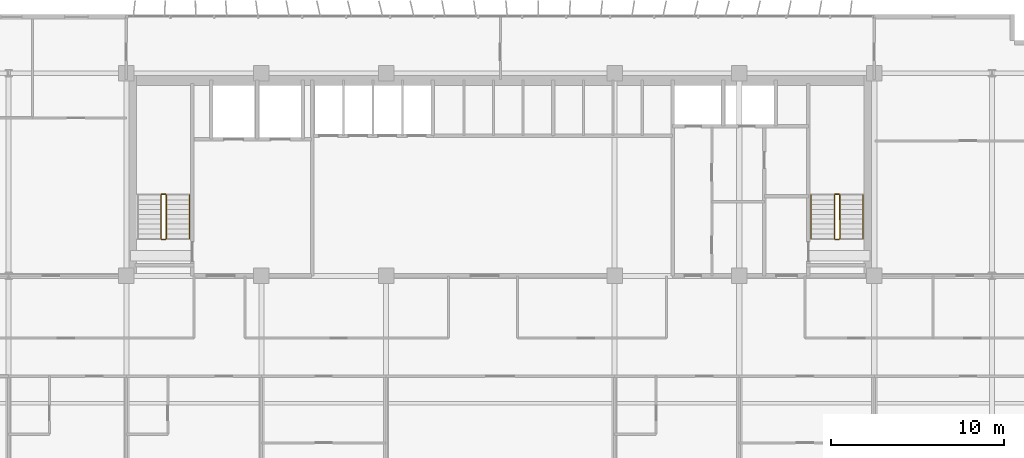
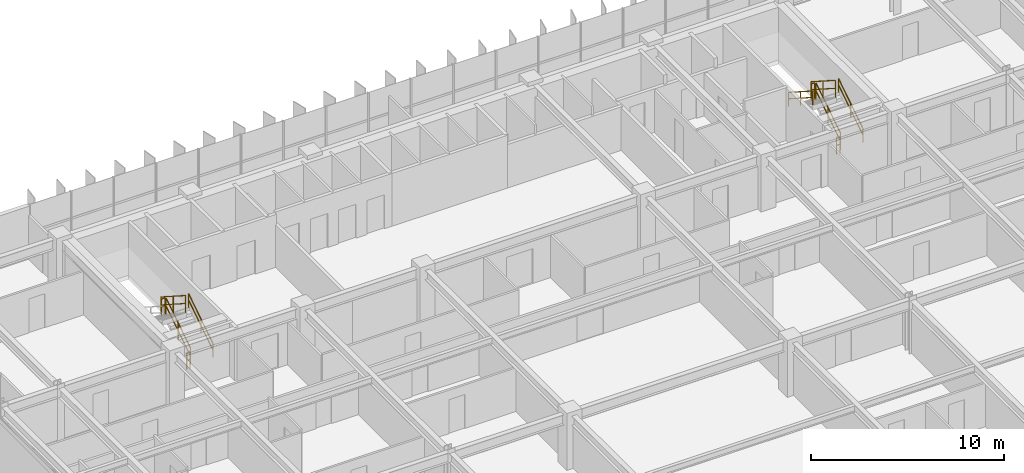
# One storey, part 24 of 25: 11 railings.
"""IFC4 building model written with IfcOpenShell, lengths in metres."""

from ifc_helpers import new_model, si_unit, direction, frame, origin, origin_2d, place, context, subcontext, project, spatial, rectangle, extrude, material, type_object, element, save


model = new_model("IFC4")

# Units and contexts
model_context = context("Model", 3, precision=1e-05, world=origin(), true_north=direction((0.0, 1.0)))
body_context = subcontext(model_context, "Body", "Model", "MODEL_VIEW")
ifc_project = project(units=[si_unit("LENGTHUNIT", "METRE"), si_unit("AREAUNIT", "SQUARE_METRE"), si_unit("VOLUMEUNIT", "CUBIC_METRE"), si_unit("PLANEANGLEUNIT", "RADIAN"), si_unit("MASSUNIT", "GRAM", prefix="KILO")], contexts=[model_context])

# Site, building, storey
site_placement = place(None, origin())
site = spatial("IfcSite", under=ifc_project, at=site_placement, CompositionType="ELEMENT")
building_placement = place(site_placement, origin())
building = spatial("IfcBuilding", under=site, at=building_placement, Name="Trelvane Seafront Commons", CompositionType="ELEMENT")
storey_placement = place(building_placement, frame((0.0, 0.0, 66.699951171875)))
storey = spatial("IfcBuildingStorey", under=building, at=storey_placement, Name="L17", CompositionType="ELEMENT", Elevation=66.699951171875)

# Railings
ifc_material = material(Name="Stainless steel balustrade", Category="steel")
railing_type_1 = type_object("IfcRailingType", Name="ARCH-SRL-GUARD", PredefinedType="GUARDRAIL", material=ifc_material)
railing_1_placement = place(storey_placement, frame((17.89990234375, 35.550048828125, 0.179931640625)))
element("IfcRailing", 1, at=railing_1_placement, inside=storey, type_object=railing_type_1, Name="L17 ST-1 stair guard 1", PredefinedType="GUARDRAIL", context=body_context, shape_type="SweptSolid", body=[
    extrude(rectangle(XDim=0.048095703125, YDim=0.048095703125, at=origin_2d()), frame((0.0, 0.0, 1.076171875), z_axis=(0.0, 0.841162588446, 0.540782303519), x_axis=(-1.0, 0.0, 0.0)), (0.0, 0.0, 1.0), 2.995849609375),
    extrude(rectangle(XDim=0.048095703125, YDim=0.048095703125, at=origin_2d()), frame((0.0, 0.0, 0.572021484375), z_axis=(0.0, 0.841162588446, 0.540782303519), x_axis=(-1.0, 0.0, 0.0)), (0.0, 0.0, 1.0), 2.995849609375),
    extrude(rectangle(XDim=0.0419921875, YDim=0.0419921875, at=origin_2d()), origin(), (0.0, 0.0, 1.0), 1.076171875),
    extrude(rectangle(XDim=0.0419921875, YDim=0.0419921875, at=origin_2d()), frame((0.0, 1.260009765625, 0.81005859375)), (0.0, 0.0, 1.0), 1.076171875),
    extrude(rectangle(XDim=0.0419921875, YDim=0.0419921875, at=origin_2d()), frame((0.0, 2.52001953125, 1.6201171875)), (0.0, 0.0, 1.0), 1.076171875),
])
railing_2_placement = place(storey_placement, frame((17.85009765625, 38.1201171875, 1.800048828125)))
element("IfcRailing", 2, at=railing_2_placement, inside=storey, type_object=railing_type_1, Name="L17 ST-1 stair guard 2", PredefinedType="GUARDRAIL", context=body_context, shape_type="SweptSolid", body=[
    extrude(rectangle(XDim=0.048095703125, YDim=0.048095703125, at=origin_2d()), frame((0.0, 0.0, 1.076171875), z_axis=(-1.0, 0.0, 0.0), x_axis=(0.0, -1.0, 0.0)), (0.0, 0.0, 1.0), 0.2001953125),
    extrude(rectangle(XDim=0.048095703125, YDim=0.048095703125, at=origin_2d()), frame((0.0, 0.0, 0.572021484375), z_axis=(-1.0, 0.0, 0.0), x_axis=(0.0, -1.0, 0.0)), (0.0, 0.0, 1.0), 0.2001953125),
    extrude(rectangle(XDim=0.0419921875, YDim=0.0419921875, at=origin_2d()), origin(), (0.0, 0.0, 1.0), 1.076171875),
    extrude(rectangle(XDim=0.0419921875, YDim=0.0419921875, at=origin_2d()), frame((-0.2001953125, 0.0, 0.0)), (0.0, 0.0, 1.0), 1.076171875),
])
railing_3_placement = place(storey_placement, frame((17.60009765625, 38.070068359375, 1.97998046875)))
element("IfcRailing", 3, at=railing_3_placement, inside=storey, type_object=railing_type_1, Name="L17 ST-1 stair guard 3", PredefinedType="GUARDRAIL", context=body_context, shape_type="SweptSolid", body=[
    extrude(rectangle(XDim=0.048095703125, YDim=0.048095703125, at=origin_2d()), frame((0.0, 0.0, 1.076171875), z_axis=(0.0, -0.841162588446, 0.540782303519), x_axis=(1.0, 0.0, 0.0)), (0.0, 0.0, 1.0), 2.995849609375),
    extrude(rectangle(XDim=0.048095703125, YDim=0.048095703125, at=origin_2d()), frame((0.0, 0.0, 0.572021484375), z_axis=(0.0, -0.841162588446, 0.540782303519), x_axis=(1.0, 0.0, 0.0)), (0.0, 0.0, 1.0), 2.995849609375),
    extrude(rectangle(XDim=0.0419921875, YDim=0.0419921875, at=origin_2d()), origin(), (0.0, 0.0, 1.0), 1.076171875),
    extrude(rectangle(XDim=0.0419921875, YDim=0.0419921875, at=origin_2d()), frame((0.0, -1.260009765625, 0.81005859375)), (0.0, 0.0, 1.0), 1.076171875),
    extrude(rectangle(XDim=0.0419921875, YDim=0.0419921875, at=origin_2d()), frame((0.0, -2.52001953125, 1.6201171875)), (0.0, 0.0, 1.0), 1.076171875),
])
railing_4_placement = place(storey_placement, frame((17.85009765625, 35.5, 0.0)))
element("IfcRailing", 4, at=railing_4_placement, inside=storey, type_object=railing_type_1, Name="L17 ST-1 stair guard 4", PredefinedType="GUARDRAIL", context=body_context, shape_type="SweptSolid", body=[
    extrude(rectangle(XDim=0.048095703125, YDim=0.048095703125, at=origin_2d()), frame((0.0, 0.0, 1.076171875), z_axis=(-1.0, 0.0, 0.0), x_axis=(0.0, -1.0, 0.0)), (0.0, 0.0, 1.0), 0.2001953125),
    extrude(rectangle(XDim=0.048095703125, YDim=0.048095703125, at=origin_2d()), frame((0.0, 0.0, 0.572021484375), z_axis=(-1.0, 0.0, 0.0), x_axis=(0.0, -1.0, 0.0)), (0.0, 0.0, 1.0), 0.2001953125),
    extrude(rectangle(XDim=0.0419921875, YDim=0.0419921875, at=origin_2d()), origin(), (0.0, 0.0, 1.0), 1.076171875),
    extrude(rectangle(XDim=0.0419921875, YDim=0.0419921875, at=origin_2d()), frame((-0.2001953125, 0.0, 0.0)), (0.0, 0.0, 1.0), 1.076171875),
])
railing_5_placement = place(storey_placement, frame((56.800048828125, 35.550048828125, 0.179931640625)))
element("IfcRailing", 5, at=railing_5_placement, inside=storey, type_object=railing_type_1, Name="L17 ST-2 stair guard 1", PredefinedType="GUARDRAIL", context=body_context, shape_type="SweptSolid", body=[
    extrude(rectangle(XDim=0.048095703125, YDim=0.048095703125, at=origin_2d()), frame((0.0, 0.0, 1.076171875), z_axis=(0.0, 0.841162588446, 0.540782303519), x_axis=(-1.0, 0.0, 0.0)), (0.0, 0.0, 1.0), 2.995849609375),
    extrude(rectangle(XDim=0.048095703125, YDim=0.048095703125, at=origin_2d()), frame((0.0, 0.0, 0.572021484375), z_axis=(0.0, 0.841162588446, 0.540782303519), x_axis=(-1.0, 0.0, 0.0)), (0.0, 0.0, 1.0), 2.995849609375),
    extrude(rectangle(XDim=0.0419921875, YDim=0.0419921875, at=origin_2d()), origin(), (0.0, 0.0, 1.0), 1.076171875),
    extrude(rectangle(XDim=0.0419921875, YDim=0.0419921875, at=origin_2d()), frame((0.0, 1.260009765625, 0.81005859375)), (0.0, 0.0, 1.0), 1.076171875),
    extrude(rectangle(XDim=0.0419921875, YDim=0.0419921875, at=origin_2d()), frame((0.0, 2.52001953125, 1.6201171875)), (0.0, 0.0, 1.0), 1.076171875),
])
railing_6_placement = place(storey_placement, frame((56.75, 38.1201171875, 1.800048828125)))
element("IfcRailing", 6, at=railing_6_placement, inside=storey, type_object=railing_type_1, Name="L17 ST-2 stair guard 2", PredefinedType="GUARDRAIL", context=body_context, shape_type="SweptSolid", body=[
    extrude(rectangle(XDim=0.048095703125, YDim=0.048095703125, at=origin_2d()), frame((0.0, 0.0, 1.076171875), z_axis=(-1.0, 0.0, 0.0), x_axis=(0.0, -1.0, 0.0)), (0.0, 0.0, 1.0), 0.199951171875),
    extrude(rectangle(XDim=0.048095703125, YDim=0.048095703125, at=origin_2d()), frame((0.0, 0.0, 0.572021484375), z_axis=(-1.0, 0.0, 0.0), x_axis=(0.0, -1.0, 0.0)), (0.0, 0.0, 1.0), 0.199951171875),
    extrude(rectangle(XDim=0.0419921875, YDim=0.0419921875, at=origin_2d()), origin(), (0.0, 0.0, 1.0), 1.076171875),
    extrude(rectangle(XDim=0.0419921875, YDim=0.0419921875, at=origin_2d()), frame((-0.199951171875, 0.0, 0.0)), (0.0, 0.0, 1.0), 1.076171875),
])
railing_7_placement = place(storey_placement, frame((56.5, 38.070068359375, 1.97998046875)))
element("IfcRailing", 7, at=railing_7_placement, inside=storey, type_object=railing_type_1, Name="L17 ST-2 stair guard 3", PredefinedType="GUARDRAIL", context=body_context, shape_type="SweptSolid", body=[
    extrude(rectangle(XDim=0.048095703125, YDim=0.048095703125, at=origin_2d()), frame((0.0, 0.0, 1.076171875), z_axis=(0.0, -0.841162588446, 0.540782303519), x_axis=(1.0, 0.0, 0.0)), (0.0, 0.0, 1.0), 2.995849609375),
    extrude(rectangle(XDim=0.048095703125, YDim=0.048095703125, at=origin_2d()), frame((0.0, 0.0, 0.572021484375), z_axis=(0.0, -0.841162588446, 0.540782303519), x_axis=(1.0, 0.0, 0.0)), (0.0, 0.0, 1.0), 2.995849609375),
    extrude(rectangle(XDim=0.0419921875, YDim=0.0419921875, at=origin_2d()), origin(), (0.0, 0.0, 1.0), 1.076171875),
    extrude(rectangle(XDim=0.0419921875, YDim=0.0419921875, at=origin_2d()), frame((0.0, -1.260009765625, 0.81005859375)), (0.0, 0.0, 1.0), 1.076171875),
    extrude(rectangle(XDim=0.0419921875, YDim=0.0419921875, at=origin_2d()), frame((0.0, -2.52001953125, 1.6201171875)), (0.0, 0.0, 1.0), 1.076171875),
])
railing_8_placement = place(storey_placement, frame((56.75, 35.5, 0.0)))
element("IfcRailing", 8, at=railing_8_placement, inside=storey, type_object=railing_type_1, Name="L17 ST-2 stair guard 4", PredefinedType="GUARDRAIL", context=body_context, shape_type="SweptSolid", body=[
    extrude(rectangle(XDim=0.048095703125, YDim=0.048095703125, at=origin_2d()), frame((0.0, 0.0, 1.076171875), z_axis=(-1.0, 0.0, 0.0), x_axis=(0.0, -1.0, 0.0)), (0.0, 0.0, 1.0), 0.199951171875),
    extrude(rectangle(XDim=0.048095703125, YDim=0.048095703125, at=origin_2d()), frame((0.0, 0.0, 0.572021484375), z_axis=(-1.0, 0.0, 0.0), x_axis=(0.0, -1.0, 0.0)), (0.0, 0.0, 1.0), 0.199951171875),
    extrude(rectangle(XDim=0.0419921875, YDim=0.0419921875, at=origin_2d()), origin(), (0.0, 0.0, 1.0), 1.076171875),
    extrude(rectangle(XDim=0.0419921875, YDim=0.0419921875, at=origin_2d()), frame((-0.199951171875, 0.0, 0.0)), (0.0, 0.0, 1.0), 1.076171875),
])
railing_type_2 = type_object("IfcRailingType", Name="ARCH-SRL-HAND", PredefinedType="HANDRAIL", material=ifc_material)
for number, where, name in (
    (9, (19.25, 35.550048828125, 0.179931640625), "L17 ST-1 stair handrail 1"),
    (10, (58.14990234375, 35.550048828125, 0.179931640625), "L17 ST-2 stair handrail 1"),
):
    element("IfcRailing", number, at=place(storey_placement, frame(where)), inside=storey, type_object=railing_type_2, Name=name, PredefinedType="HANDRAIL", context=body_context, shape_type="SweptSolid", body=[
        extrude(rectangle(XDim=0.048095703125, YDim=0.048095703125, at=origin_2d()), frame((0.0, 0.0, 0.8759765625), z_axis=(0.0, 0.841162588446, 0.540782303519), x_axis=(-1.0, 0.0, 0.0)), (0.0, 0.0, 1.0), 2.995849609375),
        extrude(rectangle(XDim=0.048095703125, YDim=0.048095703125, at=origin_2d()), frame((0.0, 0.0, 0.468017578125), z_axis=(0.0, 0.841162588446, 0.540782303519), x_axis=(-1.0, 0.0, 0.0)), (0.0, 0.0, 1.0), 2.995849609375),
        extrude(rectangle(XDim=0.0419921875, YDim=0.0419921875, at=origin_2d()), origin(), (0.0, 0.0, 1.0), 0.8759765625),
        extrude(rectangle(XDim=0.0419921875, YDim=0.0419921875, at=origin_2d()), frame((0.0, 1.260009765625, 0.81005859375)), (0.0, 0.0, 1.0), 0.8759765625),
        extrude(rectangle(XDim=0.0419921875, YDim=0.0419921875, at=origin_2d()), frame((0.0, 2.52001953125, 1.6201171875)), (0.0, 0.0, 1.0), 0.8759765625),
    ])
railing_9_placement = place(storey_placement, frame((55.14990234375, 38.070068359375, 1.97998046875)))
element("IfcRailing", 11, at=railing_9_placement, inside=storey, type_object=railing_type_2, Name="L17 ST-2 stair handrail 2", PredefinedType="HANDRAIL", context=body_context, shape_type="SweptSolid", body=[
    extrude(rectangle(XDim=0.048095703125, YDim=0.048095703125, at=origin_2d()), frame((0.0, 0.0, 0.8759765625), z_axis=(0.0, -0.841162588446, 0.540782303519), x_axis=(1.0, 0.0, 0.0)), (0.0, 0.0, 1.0), 2.995849609375),
    extrude(rectangle(XDim=0.048095703125, YDim=0.048095703125, at=origin_2d()), frame((0.0, 0.0, 0.468017578125), z_axis=(0.0, -0.841162588446, 0.540782303519), x_axis=(1.0, 0.0, 0.0)), (0.0, 0.0, 1.0), 2.995849609375),
    extrude(rectangle(XDim=0.0419921875, YDim=0.0419921875, at=origin_2d()), origin(), (0.0, 0.0, 1.0), 0.8759765625),
    extrude(rectangle(XDim=0.0419921875, YDim=0.0419921875, at=origin_2d()), frame((0.0, -1.260009765625, 0.81005859375)), (0.0, 0.0, 1.0), 0.8759765625),
    extrude(rectangle(XDim=0.0419921875, YDim=0.0419921875, at=origin_2d()), frame((0.0, -2.52001953125, 1.6201171875)), (0.0, 0.0, 1.0), 0.8759765625),
])

save(model, "model.ifc")
